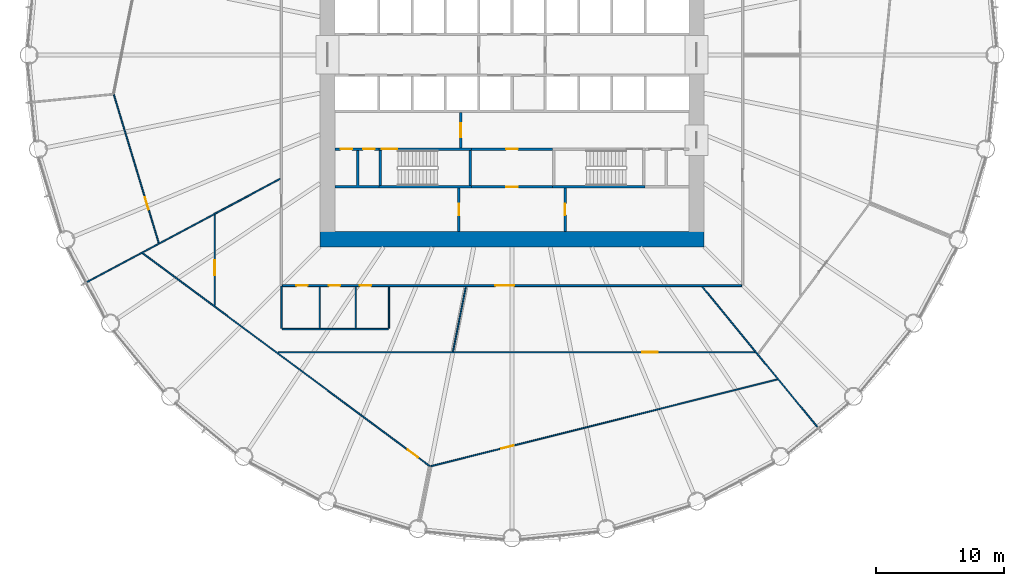
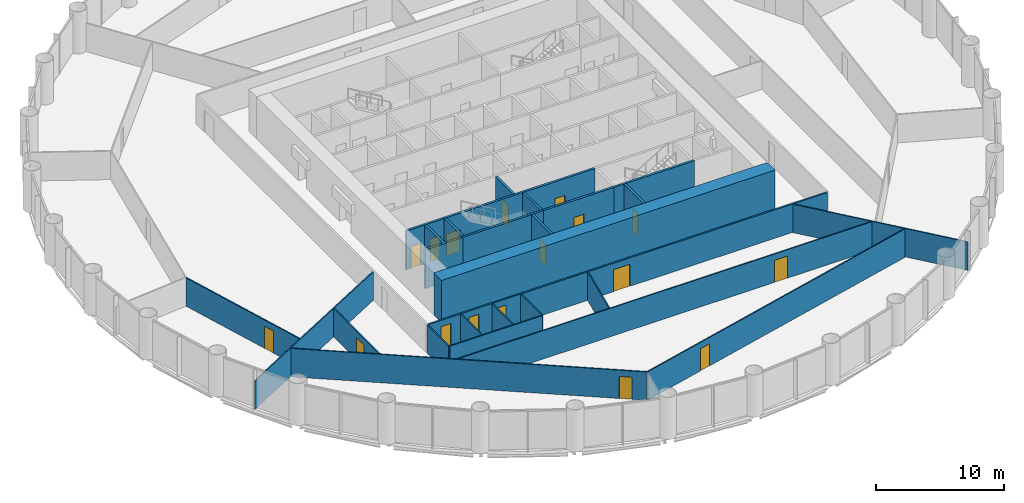
# One storey, part 10 of 15: 27 walls, 17 doors, 17 openings.
"""IFC4 building model written with IfcOpenShell, lengths in metres."""

from ifc_helpers import new_model, si_unit, direction, frame, frame_2d, origin, place, context, subcontext, project, spatial, polyline, rectangle, outline, extrude, material, layer, layer_set, type_object, element, fill, save


model = new_model("IFC4")

# Units and contexts
model_context = context("Model", 3, precision=1e-05, world=origin(), true_north=direction((0.0, 1.0)))
body_context = subcontext(model_context, "Body", "Model", "MODEL_VIEW")
ifc_project = project(units=[si_unit("LENGTHUNIT", "METRE"), si_unit("AREAUNIT", "SQUARE_METRE"), si_unit("VOLUMEUNIT", "CUBIC_METRE"), si_unit("PLANEANGLEUNIT", "RADIAN"), si_unit("MASSUNIT", "GRAM", prefix="KILO")], contexts=[model_context])

# Site, building, storey
site_placement = place(None, origin())
site = spatial("IfcSite", under=ifc_project, at=site_placement, CompositionType="ELEMENT")
building_placement = place(site_placement, origin())
building = spatial("IfcBuilding", under=site, at=building_placement, Name="Corvane Civic Tower", CompositionType="ELEMENT")
storey_placement = place(building_placement, frame((0.0, 0.0, 45.0)))
storey = spatial("IfcBuildingStorey", under=building, at=storey_placement, Name="L09", CompositionType="ELEMENT", Elevation=45.0)

# Wall
ifc_material_1 = material(Name="Concrete C80/95", Category="concrete")
ifc_layer_1 = layer(ifc_material_1, 1.199951171875)
ifc_layer_set_1 = layer_set([ifc_layer_1], Name="Concrete C80/95")
wall_type_1 = type_object("IfcWallType", Name="CORE WALL 1200 C80/95", PredefinedType="SHEAR", material=ifc_layer_set_1)
wall_1_placement = place(storey_placement, frame((-15.0, -14.39990234375, 0.0), z_axis=(0.0, 0.0, 1.0), x_axis=(1.0, 0.0, 0.0)))
element("IfcWall", 1, at=wall_1_placement, inside=storey, type_object=wall_type_1, Name="W-L09-core-S", PredefinedType="SHEAR", context=body_context, shape_type="SweptSolid", body=[
    extrude(rectangle(XDim=30.0, YDim=1.199951171875, at=frame_2d((15.0, 0.0))), origin(), (0.0, 0.0, 1.0), 4.0),
])

# Wall, opening, door
ifc_material_2 = material(Name="Concrete C30/37", Category="concrete")
ifc_layer_2 = layer(ifc_material_2, 0.199951171875)
ifc_layer_set_2 = layer_set([ifc_layer_2], Name="Concrete C30/37")
wall_type_2 = type_object("IfcWallType", Name="CR-WALL-200", PredefinedType="PARTITIONING", material=ifc_layer_set_2)
wall_2_placement = place(storey_placement, frame((-3.14990234375, -10.300048828125, 0.0), z_axis=(0.0, 0.0, 1.0), x_axis=(1.0, 0.0, 0.0)))
wall_2 = element("IfcWall", 2, at=wall_2_placement, inside=storey, type_object=wall_type_2, Name="L09 partition wall", PredefinedType="PARTITIONING", context=body_context, shape_type="SweptSolid", body=[
    extrude(rectangle(XDim=6.2998046875, YDim=0.199951171875, at=frame_2d((3.14990234375, 0.0))), origin(), (0.0, 0.0, 1.0), 3.699951171875),
])
opening_1_placement = place(wall_2_placement, frame((2.699951171875, 0.0, 0.0)))
opening_1 = element("IfcOpeningElement", 3, at=opening_1_placement, cuts=wall_2, Name="Opening L09.C08", PredefinedType="OPENING", context=body_context, shape_type="SweptSolid", body=[
    extrude(rectangle(XDim=0.89990234375, YDim=2.10009765625, at=frame_2d((0.449951171875, 1.050048828125))), frame((0.0, 0.10986328125, 0.0), z_axis=(0.0, -1.0, 0.0), x_axis=(1.0, 0.0, 0.0)), (0.0, 0.0, 1.0), 0.219970703125),
])
ifc_material_3 = material(Name="Steel fire door leaf", Category="steel")
door_type_1 = type_object("IfcDoorType", Name="CR-DOOR-900", OperationType="SINGLE_SWING_LEFT", PredefinedType="DOOR", material=ifc_material_3)
door_1_placement = place(opening_1_placement, origin())
door_1 = element("IfcDoor", 4, at=door_1_placement, inside=storey, type_object=door_type_1, Name="L09 door", OperationType="SINGLE_SWING_LEFT", OverallHeight=2.10009765625, OverallWidth=0.89990234375, PredefinedType="DOOR", context=body_context, shape_type="SweptSolid", body=[
    extrude(rectangle(XDim=0.89990234375, YDim=2.10009765625, at=frame_2d((0.449951171875, 1.050048828125))), frame((0.0, 0.02490234375, 0.0), z_axis=(0.0, -1.0, 0.0), x_axis=(1.0, 0.0, 0.0)), (0.0, 0.0, 1.0), 0.050048828125),
])
fill(opening_1, door_1)

# Wall, openings, doors
wall_3_placement = place(storey_placement, frame((-13.800048828125, -7.35009765625, 0.0), z_axis=(0.0, 0.0, 1.0), x_axis=(1.0, 0.0, 0.0)))
wall_3 = element("IfcWall", 5, at=wall_3_placement, inside=storey, type_object=wall_type_2, Name="L09 core partition wall", PredefinedType="PARTITIONING", context=body_context, shape_type="SweptSolid", body=[
    extrude(rectangle(XDim=3.400146484375, YDim=0.199951171875, at=frame_2d((1.7001953125, 0.0))), origin(), (0.0, 0.0, 1.0), 3.699951171875),
])
opening_2_placement = place(wall_3_placement, frame((0.425048828125, 0.0, 0.0)))
opening_2 = element("IfcOpeningElement", 6, at=opening_2_placement, cuts=wall_3, Name="Opening L09.C12", PredefinedType="OPENING", context=body_context, shape_type="SweptSolid", body=[
    extrude(rectangle(XDim=0.89990234375, YDim=2.10009765625, at=frame_2d((0.449951171875, 1.050048828125))), frame((0.0, 0.10986328125, 0.0), z_axis=(0.0, -1.0, 0.0), x_axis=(1.0, 0.0, 0.0)), (0.0, 0.0, 1.0), 0.219970703125),
])
opening_3_placement = place(wall_3_placement, frame((2.175048828125, 0.0, 0.0)))
opening_3 = element("IfcOpeningElement", 7, at=opening_3_placement, cuts=wall_3, Name="Opening L09.C13", PredefinedType="OPENING", context=body_context, shape_type="SweptSolid", body=[
    extrude(rectangle(XDim=0.89990234375, YDim=2.10009765625, at=frame_2d((0.449951171875, 1.050048828125))), frame((0.0, 0.10986328125, 0.0), z_axis=(0.0, -1.0, 0.0), x_axis=(1.0, 0.0, 0.0)), (0.0, 0.0, 1.0), 0.219970703125),
])
door_2_placement = place(opening_2_placement, origin())
door_2 = element("IfcDoor", 8, at=door_2_placement, inside=storey, type_object=door_type_1, Name="L09 door", OperationType="SINGLE_SWING_LEFT", OverallHeight=2.10009765625, OverallWidth=0.89990234375, PredefinedType="DOOR", context=body_context, shape_type="SweptSolid", body=[
    extrude(rectangle(XDim=0.89990234375, YDim=2.10009765625, at=frame_2d((0.449951171875, 1.050048828125))), frame((0.0, 0.02490234375, 0.0), z_axis=(0.0, -1.0, 0.0), x_axis=(1.0, 0.0, 0.0)), (0.0, 0.0, 1.0), 0.050048828125),
])
fill(opening_2, door_2)
door_3_placement = place(opening_3_placement, origin())
door_3 = element("IfcDoor", 9, at=door_3_placement, inside=storey, type_object=door_type_1, Name="L09 door", OperationType="SINGLE_SWING_LEFT", OverallHeight=2.10009765625, OverallWidth=0.89990234375, PredefinedType="DOOR", context=body_context, shape_type="SweptSolid", body=[
    extrude(rectangle(XDim=0.89990234375, YDim=2.10009765625, at=frame_2d((0.449951171875, 1.050048828125))), frame((0.0, 0.02490234375, 0.0), z_axis=(0.0, -1.0, 0.0), x_axis=(1.0, 0.0, 0.0)), (0.0, 0.0, 1.0), 0.050048828125),
])
fill(opening_3, door_3)

# Wall, opening, door
wall_4_placement = place(storey_placement, frame((-3.14990234375, -7.35009765625, 0.0), z_axis=(0.0, 0.0, 1.0), x_axis=(1.0, 0.0, 0.0)))
wall_4 = element("IfcWall", 10, at=wall_4_placement, inside=storey, type_object=wall_type_2, Name="L09 core partition wall", PredefinedType="PARTITIONING", context=body_context, shape_type="SweptSolid", body=[
    extrude(rectangle(XDim=6.2998046875, YDim=0.199951171875, at=frame_2d((3.14990234375, 0.0))), origin(), (0.0, 0.0, 1.0), 3.699951171875),
])
opening_4_placement = place(wall_4_placement, frame((2.699951171875, 0.0, 0.0)))
opening_4 = element("IfcOpeningElement", 11, at=opening_4_placement, cuts=wall_4, Name="Opening L09.C03", PredefinedType="OPENING", context=body_context, shape_type="SweptSolid", body=[
    extrude(rectangle(XDim=0.89990234375, YDim=2.10009765625, at=frame_2d((0.449951171875, 1.050048828125))), frame((0.0, 0.10986328125, 0.0), z_axis=(0.0, -1.0, 0.0), x_axis=(1.0, 0.0, 0.0)), (0.0, 0.0, 1.0), 0.219970703125),
])
door_4_placement = place(opening_4_placement, origin())
door_4 = element("IfcDoor", 12, at=door_4_placement, inside=storey, type_object=door_type_1, Name="L09 door", OperationType="SINGLE_SWING_LEFT", OverallHeight=2.10009765625, OverallWidth=0.89990234375, PredefinedType="DOOR", context=body_context, shape_type="SweptSolid", body=[
    extrude(rectangle(XDim=0.89990234375, YDim=2.10009765625, at=frame_2d((0.449951171875, 1.050048828125))), frame((0.0, 0.02490234375, 0.0), z_axis=(0.0, -1.0, 0.0), x_axis=(1.0, 0.0, 0.0)), (0.0, 0.0, 1.0), 0.050048828125),
])
fill(opening_4, door_4)

wall_5_placement = place(storey_placement, frame((-4.14990234375, -13.800048828125, 0.0), z_axis=(0.0, 0.0, 1.0), x_axis=(0.0, 1.0, 0.0)))
wall_5 = element("IfcWall", 13, at=wall_5_placement, inside=storey, type_object=wall_type_2, Name="L09 partition wall", PredefinedType="PARTITIONING", context=body_context, shape_type="SweptSolid", body=[
    extrude(rectangle(XDim=3.400146484375, YDim=0.199951171875, at=frame_2d((1.7001953125, 0.0))), origin(), (0.0, 0.0, 1.0), 3.699951171875),
])
opening_5_placement = place(wall_5_placement, frame((1.300048828125, 0.0, 0.0)))
opening_5 = element("IfcOpeningElement", 14, at=opening_5_placement, cuts=wall_5, Name="Opening L09.C07", PredefinedType="OPENING", context=body_context, shape_type="SweptSolid", body=[
    extrude(rectangle(XDim=0.89990234375, YDim=2.10009765625, at=frame_2d((0.449951171875, 1.050048828125))), frame((0.0, 0.10986328125, 0.0), z_axis=(0.0, -1.0, 0.0), x_axis=(1.0, 0.0, 0.0)), (0.0, 0.0, 1.0), 0.219970703125),
])
door_5_placement = place(opening_5_placement, origin())
door_5 = element("IfcDoor", 15, at=door_5_placement, inside=storey, type_object=door_type_1, Name="L09 door", OperationType="SINGLE_SWING_LEFT", OverallHeight=2.10009765625, OverallWidth=0.89990234375, PredefinedType="DOOR", context=body_context, shape_type="SweptSolid", body=[
    extrude(rectangle(XDim=0.89990234375, YDim=2.10009765625, at=frame_2d((0.449951171875, 1.050048828125))), frame((0.0, 0.02490234375, 0.0), z_axis=(0.0, -1.0, 0.0), x_axis=(1.0, 0.0, 0.0)), (0.0, 0.0, 1.0), 0.050048828125),
])
fill(opening_5, door_5)

wall_6_placement = place(storey_placement, frame((-4.0, -7.25, 0.0), z_axis=(0.0, 0.0, 1.0), x_axis=(0.0, 1.0, 0.0)))
wall_6 = element("IfcWall", 16, at=wall_6_placement, inside=storey, type_object=wall_type_2, Name="L09 core partition wall", PredefinedType="PARTITIONING", context=body_context, shape_type="SweptSolid", body=[
    extrude(rectangle(XDim=2.75, YDim=0.199951171875, at=frame_2d((1.375, 0.0))), origin(), (0.0, 0.0, 1.0), 3.699951171875),
])
opening_6_placement = place(wall_6_placement, frame((0.824951171875, 0.0, 0.0)))
opening_6 = element("IfcOpeningElement", 17, at=opening_6_placement, cuts=wall_6, Name="Opening L09.C25", PredefinedType="OPENING", context=body_context, shape_type="SweptSolid", body=[
    extrude(rectangle(XDim=1.10009765625, YDim=2.10009765625, at=frame_2d((0.550048828125, 1.050048828125))), frame((0.0, 0.10986328125, 0.0), z_axis=(0.0, -1.0, 0.0), x_axis=(1.0, 0.0, 0.0)), (0.0, 0.0, 1.0), 0.219970703125),
])
ifc_material_4 = material(Name="Steel fire door leaf", Category="steel")
door_type_2 = type_object("IfcDoorType", Name="CR-DOOR-FFL-1100", OperationType="SINGLE_SWING_LEFT", PredefinedType="DOOR", material=ifc_material_4)
door_6_placement = place(opening_6_placement, origin())
door_6 = element("IfcDoor", 18, at=door_6_placement, inside=storey, type_object=door_type_2, Name="L09 lobby door", OperationType="SINGLE_SWING_LEFT", OverallHeight=2.10009765625, OverallWidth=1.10009765625, PredefinedType="DOOR", context=body_context, shape_type="SweptSolid", body=[
    extrude(rectangle(XDim=1.10009765625, YDim=2.10009765625, at=frame_2d((0.550048828125, 1.050048828125))), frame((0.0, 0.02490234375, 0.0), z_axis=(0.0, -1.0, 0.0), x_axis=(1.0, 0.0, 0.0)), (0.0, 0.0, 1.0), 0.050048828125),
])
fill(opening_6, door_6)

wall_7_placement = place(storey_placement, frame((4.14990234375, -13.800048828125, 0.0), z_axis=(0.0, 0.0, 1.0), x_axis=(0.0, 1.0, 0.0)))
wall_7 = element("IfcWall", 19, at=wall_7_placement, inside=storey, type_object=wall_type_2, Name="L09 partition wall", PredefinedType="PARTITIONING", context=body_context, shape_type="SweptSolid", body=[
    extrude(rectangle(XDim=3.400146484375, YDim=0.199951171875, at=frame_2d((1.7001953125, 0.0))), origin(), (0.0, 0.0, 1.0), 3.699951171875),
])
opening_7_placement = place(wall_7_placement, frame((1.300048828125, 0.0, 0.0)))
opening_7 = element("IfcOpeningElement", 20, at=opening_7_placement, cuts=wall_7, Name="Opening L09.C09", PredefinedType="OPENING", context=body_context, shape_type="SweptSolid", body=[
    extrude(rectangle(XDim=0.89990234375, YDim=2.10009765625, at=frame_2d((0.449951171875, 1.050048828125))), frame((0.0, 0.10986328125, 0.0), z_axis=(0.0, -1.0, 0.0), x_axis=(1.0, 0.0, 0.0)), (0.0, 0.0, 1.0), 0.219970703125),
])
door_7_placement = place(opening_7_placement, origin())
door_7 = element("IfcDoor", 21, at=door_7_placement, inside=storey, type_object=door_type_1, Name="L09 door", OperationType="SINGLE_SWING_LEFT", OverallHeight=2.10009765625, OverallWidth=0.89990234375, PredefinedType="DOOR", context=body_context, shape_type="SweptSolid", body=[
    extrude(rectangle(XDim=0.89990234375, YDim=2.10009765625, at=frame_2d((0.449951171875, 1.050048828125))), frame((0.0, 0.02490234375, 0.0), z_axis=(0.0, -1.0, 0.0), x_axis=(1.0, 0.0, 0.0)), (0.0, 0.0, 1.0), 0.050048828125),
])
fill(opening_7, door_7)

# Wall
wall_8_placement = place(storey_placement, origin())
element("IfcWall", 22, at=wall_8_placement, inside=storey, type_object=wall_type_2, Name="L09 core partition wall", PredefinedType="PARTITIONING", context=body_context, shape_type="SweptSolid", body=[
    extrude(outline(polyline([(-12.14990234375, -7.449951171875), (-11.949951171875, -7.449951171875), (-11.949951171875, -10.199951171875), (-10.39990234375, -10.199951171875), (-10.39990234375, -10.39990234375), (-13.800048828125, -10.39990234375), (-13.800048828125, -10.199951171875), (-12.14990234375, -10.199951171875), (-12.14990234375, -7.449951171875)])), origin(), (0.0, 0.0, 1.0), 3.699951171875),
])

# Wall, opening, door
ifc_material_5 = material(Name="Plasterboard")
ifc_layer_3 = layer(ifc_material_5, 0.10009765625)
ifc_layer_set_3 = layer_set([ifc_layer_3], Name="Plasterboard")
wall_type_3 = type_object("IfcWallType", Name="Partition 100 plasterboard on studs", PredefinedType="PARTITIONING", material=ifc_layer_set_3)
wall_9_placement = place(storey_placement, frame((-6.357421875, -32.107177734375, 0.0), z_axis=(0.0, 0.0, 1.0), x_axis=(0.970030139122, 0.242984627485, 0.0)))
wall_9 = element("IfcWall", 23, at=wall_9_placement, inside=storey, type_object=wall_type_3, Name="Partition L09.002", PredefinedType="PARTITIONING", context=body_context, shape_type="SweptSolid", body=[
    extrude(rectangle(XDim=27.88916015625, YDim=0.10009765625, at=frame_2d((13.944580078125, 0.0))), origin(), (0.0, 0.0, 1.0), 2.699951171875),
])
opening_8_placement = place(wall_9_placement, frame((5.68017578125, 0.0, 0.0)))
opening_8 = element("IfcOpeningElement", 24, at=opening_8_placement, cuts=wall_9, Name="Opening L09.007", PredefinedType="OPENING", context=body_context, shape_type="SweptSolid", body=[
    extrude(rectangle(XDim=1.0, YDim=2.10009765625, at=frame_2d((0.5, 1.050048828125))), frame((0.0, 0.06005859375, 0.0), z_axis=(0.0, -1.0, 0.0), x_axis=(1.0, 0.0, 0.0)), (0.0, 0.0, 1.0), 0.1201171875),
])
ifc_material_6 = material(Name="Timber", Category="wood")
door_type_3 = type_object("IfcDoorType", Name="Single door 1000", OperationType="NOTDEFINED", PredefinedType="DOOR", material=ifc_material_6)
door_8_placement = place(opening_8_placement, frame((1.0, 0.0, 0.0), z_axis=(0.0, 0.0, 1.0), x_axis=(-1.0, 0.0, 0.0)))
door_8 = element("IfcDoor", 25, at=door_8_placement, inside=storey, type_object=door_type_3, Name="Door L09.007", OperationType="SINGLE_SWING_RIGHT", OverallHeight=2.10009765625, OverallWidth=1.0, PredefinedType="DOOR", context=body_context, shape_type="SweptSolid", body=[
    extrude(rectangle(XDim=1.0, YDim=2.10009765625, at=frame_2d((0.5, 1.050048828125))), frame((0.0, 0.02490234375, 0.0), z_axis=(0.0, -1.0, 0.0), x_axis=(1.0, 0.0, 0.0)), (0.0, 0.0, 1.0), 0.050048828125),
])
fill(opening_8, door_8)

wall_10_placement = place(storey_placement, frame((-28.814208984375, -15.482421875, 0.0), z_axis=(0.0, 0.0, 1.0), x_axis=(0.803206118152, -0.595701210141, 0.0)))
wall_10 = element("IfcWall", 26, at=wall_10_placement, inside=storey, type_object=wall_type_3, Name="Partition L09.003", PredefinedType="PARTITIONING", context=body_context, shape_type="SweptSolid", body=[
    extrude(rectangle(XDim=27.888916015625, YDim=0.10009765625, at=frame_2d((13.9443359375, 0.0))), origin(), (0.0, 0.0, 1.0), 2.699951171875),
])
opening_9_placement = place(wall_10_placement, frame((25.738525390625, 0.0, 0.0)))
opening_9 = element("IfcOpeningElement", 27, at=opening_9_placement, cuts=wall_10, Name="Opening L09.008", PredefinedType="OPENING", context=body_context, shape_type="SweptSolid", body=[
    extrude(rectangle(XDim=1.0, YDim=2.10009765625, at=frame_2d((0.5, 1.050048828125))), frame((0.0, 0.06005859375, 0.0), z_axis=(0.0, -1.0, 0.0), x_axis=(1.0, 0.0, 0.0)), (0.0, 0.0, 1.0), 0.1201171875),
])
door_9_placement = place(opening_9_placement, frame((1.0, 0.0, 0.0), z_axis=(0.0, 0.0, 1.0), x_axis=(-1.0, 0.0, 0.0)))
door_9 = element("IfcDoor", 28, at=door_9_placement, inside=storey, type_object=door_type_3, Name="Door L09.008", OperationType="SINGLE_SWING_LEFT", OverallHeight=2.10009765625, OverallWidth=1.0, PredefinedType="DOOR", context=body_context, shape_type="SweptSolid", body=[
    extrude(rectangle(XDim=1.0, YDim=2.10009765625, at=frame_2d((0.5, 1.050048828125))), frame((0.0, 0.02490234375, 0.0), z_axis=(0.0, -1.0, 0.0), x_axis=(1.0, 0.0, 0.0)), (0.0, 0.0, 1.0), 0.050048828125),
])
fill(opening_9, door_9)

# Wall
wall_11_placement = place(storey_placement, frame((14.85986328125, -18.106689453125, 0.0), z_axis=(0.0, 0.0, 1.0), x_axis=(0.634382026384, -0.773019692246, 0.0)))
element("IfcWall", 29, at=wall_11_placement, inside=storey, type_object=wall_type_3, Name="Partition L09.004", PredefinedType="PARTITIONING", context=body_context, shape_type="SweptSolid", body=[
    extrude(rectangle(XDim=14.5263671875, YDim=0.10009765625, at=frame_2d((7.26318359375, 0.0))), origin(), (0.0, 0.0, 1.0), 2.699951171875),
])

# Wall, opening, door
wall_12_placement = place(storey_placement, frame((-18.2568359375, -23.199951171875, 0.0), z_axis=(0.0, 0.0, 1.0), x_axis=(1.0, 0.0, 0.0)))
wall_12 = element("IfcWall", 30, at=wall_12_placement, inside=storey, type_object=wall_type_3, Name="Partition L09.006", PredefinedType="PARTITIONING", context=body_context, shape_type="SweptSolid", body=[
    extrude(rectangle(XDim=37.19091796875, YDim=0.10009765625, at=frame_2d((18.595458984375, 0.0))), origin(), (0.0, 0.0, 1.0), 2.699951171875),
])
opening_10_placement = place(wall_12_placement, frame((28.431640625, 0.0, 0.0)))
opening_10 = element("IfcOpeningElement", 31, at=opening_10_placement, cuts=wall_12, Name="Opening L09.009", PredefinedType="OPENING", context=body_context, shape_type="SweptSolid", body=[
    extrude(rectangle(XDim=1.199951171875, YDim=2.10009765625, at=frame_2d((0.60009765625, 1.050048828125))), frame((0.0, 0.06005859375, 0.0), z_axis=(0.0, -1.0, 0.0), x_axis=(1.0, 0.0, 0.0)), (0.0, 0.0, 1.0), 0.1201171875),
])
ifc_material_7 = material(Name="Timber", Category="wood")
door_type_4 = type_object("IfcDoorType", Name="Double door 1200", OperationType="NOTDEFINED", PredefinedType="DOOR", material=ifc_material_7)
door_10_placement = place(opening_10_placement, frame((1.199951171875, 0.0, 0.0), z_axis=(0.0, 0.0, 1.0), x_axis=(-1.0, 0.0, 0.0)))
door_10 = element("IfcDoor", 32, at=door_10_placement, inside=storey, type_object=door_type_4, Name="Door L09.009", OperationType="DOUBLE_DOOR_SINGLE_SWING", OverallHeight=2.10009765625, OverallWidth=1.199951171875, PredefinedType="DOOR", context=body_context, shape_type="SweptSolid", body=[
    extrude(rectangle(XDim=1.199951171875, YDim=2.10009765625, at=frame_2d((0.60009765625, 1.050048828125))), frame((0.0, 0.02490234375, 0.0), z_axis=(0.0, -1.0, 0.0), x_axis=(1.0, 0.0, 0.0)), (0.0, 0.0, 1.0), 0.050048828125),
])
fill(opening_10, door_10)

# Walls
wall_13_placement = place(storey_placement, frame((-4.602783203125, -23.14013671875, 0.0), z_axis=(0.0, 0.0, 1.0), x_axis=(0.195050300092, 0.98079324041, 0.0)))
element("IfcWall", 33, at=wall_13_placement, inside=storey, type_object=wall_type_3, Name="Partition L09.007", PredefinedType="PARTITIONING", context=body_context, shape_type="SweptSolid", body=[
    extrude(rectangle(XDim=5.154541015625, YDim=0.10009765625, at=frame_2d((2.5771484375, 0.0))), origin(), (0.0, 0.0, 1.0), 2.699951171875),
])
wall_14_placement = place(storey_placement, frame((-17.949951171875, -21.39990234375, 0.0), z_axis=(0.0, 0.0, 1.0), x_axis=(1.0, 0.0, 0.0)))
element("IfcWall", 34, at=wall_14_placement, inside=storey, type_object=wall_type_3, Name="Partition L09.008", PredefinedType="PARTITIONING", context=body_context, shape_type="SweptSolid", body=[
    extrude(rectangle(XDim=8.300048828125, YDim=0.10009765625, at=frame_2d((4.14990234375, 0.0))), origin(), (0.0, 0.0, 1.0), 2.699951171875),
])
wall_15_placement = place(storey_placement, frame((-18.0, -21.35009765625, 0.0), z_axis=(0.0, 0.0, 1.0), x_axis=(0.0, 1.0, 0.0)))
element("IfcWall", 35, at=wall_15_placement, inside=storey, type_object=wall_type_3, Name="Partition L09.009", PredefinedType="PARTITIONING", context=body_context, shape_type="SweptSolid", body=[
    extrude(rectangle(XDim=3.300048828125, YDim=0.10009765625, at=frame_2d((1.64990234375, 0.0))), origin(), (0.0, 0.0, 1.0), 2.699951171875),
])
for number, where, z_axis, x_axis, name in (
    (36, (-15.0, -21.35009765625, 0.0), (0.0, 0.0, 1.0), (0.0, 1.0, 0.0), "Partition L09.010"),
    (37, (-12.199951171875, -21.35009765625, 0.0), (0.0, 0.0, 1.0), (0.0, 1.0, 0.0), "Partition L09.011"),
    (38, (-9.60009765625, -21.35009765625, 0.0), (0.0, 0.0, 1.0), (0.0, 1.0, 0.0), "Partition L09.012"),
):
    element("IfcWall", number, at=place(storey_placement, frame(where, z_axis=z_axis, x_axis=x_axis)), inside=storey, type_object=wall_type_3, Name=name, PredefinedType="PARTITIONING", context=body_context, shape_type="SweptSolid", body=[
        extrude(rectangle(XDim=3.275146484375, YDim=0.10009765625, at=frame_2d((1.6376953125, 0.0))), origin(), (0.0, 0.0, 1.0), 2.699951171875),
    ])

# Wall, opening, door
wall_16_placement = place(storey_placement, frame((-23.199951171875, -19.546875, 0.0), z_axis=(0.0, 0.0, 1.0), x_axis=(0.0, 1.0, 0.0)))
wall_16 = element("IfcWall", 39, at=wall_16_placement, inside=storey, type_object=wall_type_3, Name="Partition L09.013", PredefinedType="PARTITIONING", context=body_context, shape_type="SweptSolid", body=[
    extrude(rectangle(XDim=7.062744140625, YDim=0.10009765625, at=frame_2d((3.53125, 0.0))), origin(), (0.0, 0.0, 1.0), 2.699951171875),
])
opening_11_placement = place(wall_16_placement, frame((2.335205078125, 0.0, 0.0)))
opening_11 = element("IfcOpeningElement", 40, at=opening_11_placement, cuts=wall_16, Name="Opening L09.010", PredefinedType="OPENING", context=body_context, shape_type="SweptSolid", body=[
    extrude(rectangle(XDim=1.199951171875, YDim=2.10009765625, at=frame_2d((0.60009765625, 1.050048828125))), frame((0.0, 0.06005859375, 0.0), z_axis=(0.0, -1.0, 0.0), x_axis=(1.0, 0.0, 0.0)), (0.0, 0.0, 1.0), 0.1201171875),
])
door_11_placement = place(opening_11_placement, origin())
door_11 = element("IfcDoor", 41, at=door_11_placement, inside=storey, type_object=door_type_4, Name="Door L09.010", OperationType="DOUBLE_DOOR_SINGLE_SWING", OverallHeight=2.10009765625, OverallWidth=1.199951171875, PredefinedType="DOOR", context=body_context, shape_type="SweptSolid", body=[
    extrude(rectangle(XDim=1.199951171875, YDim=2.10009765625, at=frame_2d((0.60009765625, 1.050048828125))), frame((0.0, 0.02490234375, 0.0), z_axis=(0.0, -1.0, 0.0), x_axis=(1.0, 0.0, 0.0)), (0.0, 0.0, 1.0), 0.050048828125),
])
fill(opening_11, door_11)

# Wall
wall_17_placement = place(storey_placement, frame((-33.468994140625, -17.8896484375, 0.0), z_axis=(0.0, 0.0, 1.0), x_axis=(0.881916707753, 0.471405261517, 0.0)))
element("IfcWall", 42, at=wall_17_placement, inside=storey, type_object=wall_type_3, Name="Partition L09.018", PredefinedType="PARTITIONING", context=body_context, shape_type="SweptSolid", body=[
    extrude(rectangle(XDim=17.428466796875, YDim=0.10009765625, at=frame_2d((8.71435546875, 0.0))), origin(), (0.0, 0.0, 1.0), 2.699951171875),
])

# Wall, opening, door
wall_18_placement = place(storey_placement, frame((-31.07958984375, -3.1015625, 0.0), z_axis=(0.0, 0.0, 1.0), x_axis=(0.290268601129, -0.956945212224, 0.0)))
wall_18 = element("IfcWall", 43, at=wall_18_placement, inside=storey, type_object=wall_type_3, Name="Partition L09.019", PredefinedType="PARTITIONING", context=body_context, shape_type="SweptSolid", body=[
    extrude(rectangle(XDim=12.088134765625, YDim=0.10009765625, at=frame_2d((6.0439453125, 0.0))), origin(), (0.0, 0.0, 1.0), 2.699951171875),
])
opening_12_placement = place(wall_18_placement, frame((8.37109375, 0.0, 0.0)))
opening_12 = element("IfcOpeningElement", 44, at=opening_12_placement, cuts=wall_18, Name="Opening L09.016", PredefinedType="OPENING", context=body_context, shape_type="SweptSolid", body=[
    extrude(rectangle(XDim=1.0, YDim=2.10009765625, at=frame_2d((0.5, 1.050048828125))), frame((0.0, 0.06005859375, 0.0), z_axis=(0.0, -1.0, 0.0), x_axis=(1.0, 0.0, 0.0)), (0.0, 0.0, 1.0), 0.1201171875),
])
door_12_placement = place(opening_12_placement, frame((1.0, 0.0, 0.0), z_axis=(0.0, 0.0, 1.0), x_axis=(-1.0, 0.0, 0.0)))
door_12 = element("IfcDoor", 45, at=door_12_placement, inside=storey, type_object=door_type_3, Name="Door L09.016", OperationType="SINGLE_SWING_RIGHT", OverallHeight=2.10009765625, OverallWidth=1.0, PredefinedType="DOOR", context=body_context, shape_type="SweptSolid", body=[
    extrude(rectangle(XDim=1.0, YDim=2.10009765625, at=frame_2d((0.5, 1.050048828125))), frame((0.0, 0.02490234375, 0.0), z_axis=(0.0, -1.0, 0.0), x_axis=(1.0, 0.0, 0.0)), (0.0, 0.0, 1.0), 0.050048828125),
])
fill(opening_12, door_12)

ifc_material_8 = material(Name="Concrete C50/60", Category="concrete")
ifc_layer_4 = layer(ifc_material_8, 0.199951171875)
ifc_layer_set_4 = layer_set([ifc_layer_4], Name="Concrete C50/60")
wall_type_4 = type_object("IfcWallType", Name="ST-WALL-200", PredefinedType="SHEAR", material=ifc_layer_set_4)
wall_19_placement = place(storey_placement, frame((-10.39990234375, -7.35009765625, 0.0), z_axis=(0.0, 0.0, 1.0), x_axis=(1.0, 0.0, 0.0)))
wall_19 = element("IfcWall", 46, at=wall_19_placement, inside=storey, type_object=wall_type_4, Name="L09 stair enclosure wall", PredefinedType="SHEAR", context=body_context, shape_type="SweptSolid", body=[
    extrude(rectangle(XDim=7.25, YDim=0.199951171875, at=frame_2d((3.625, 0.0))), origin(), (0.0, 0.0, 1.0), 3.699951171875),
])
opening_13_placement = place(wall_19_placement, frame((0.25, 0.0, 0.0)))
opening_13 = element("IfcOpeningElement", 47, at=opening_13_placement, cuts=wall_19, Name="Opening L09.C21", PredefinedType="OPENING", context=body_context, shape_type="SweptSolid", body=[
    extrude(rectangle(XDim=1.199951171875, YDim=2.10009765625, at=frame_2d((0.60009765625, 1.050048828125))), frame((0.0, 0.10986328125, 0.0), z_axis=(0.0, -1.0, 0.0), x_axis=(1.0, 0.0, 0.0)), (0.0, 0.0, 1.0), 0.219970703125),
])
ifc_material_9 = material(Name="Steel fire door leaf", Category="steel")
door_type_5 = type_object("IfcDoorType", Name="ST-DOOR-1200", OperationType="SINGLE_SWING_RIGHT", PredefinedType="DOOR", material=ifc_material_9)
door_13_placement = place(opening_13_placement, origin())
door_13 = element("IfcDoor", 48, at=door_13_placement, inside=storey, type_object=door_type_5, Name="L09 stair door", OperationType="SINGLE_SWING_RIGHT", OverallHeight=2.10009765625, OverallWidth=1.199951171875, PredefinedType="DOOR", context=body_context, shape_type="SweptSolid", body=[
    extrude(rectangle(XDim=1.199951171875, YDim=2.10009765625, at=frame_2d((0.60009765625, 1.050048828125))), frame((0.0, 0.02490234375, 0.0), z_axis=(0.0, -1.0, 0.0), x_axis=(1.0, 0.0, 0.0)), (0.0, 0.0, 1.0), 0.050048828125),
])
fill(opening_13, door_13)

# Walls
wall_20_placement = place(storey_placement, origin())
element("IfcWall", 49, at=wall_20_placement, inside=storey, type_object=wall_type_4, Name="L09 stair enclosure wall", PredefinedType="SHEAR", context=body_context, shape_type="SweptSolid", body=[
    extrude(outline(polyline([(-3.14990234375, -10.199951171875), (-3.14990234375, -10.39990234375), (-10.39990234375, -10.39990234375), (-10.39990234375, -10.199951171875), (-3.14990234375, -10.199951171875)])), origin(), (0.0, 0.0, 1.0), 3.699951171875),
])
wall_21_placement = place(storey_placement, origin())
element("IfcWall", 50, at=wall_21_placement, inside=storey, type_object=wall_type_4, Name="L09 stair enclosure wall", PredefinedType="SHEAR", context=body_context, shape_type="SweptSolid", body=[
    extrude(outline(polyline([(10.39990234375, -10.39990234375), (3.14990234375, -10.39990234375), (3.14990234375, -10.199951171875), (10.39990234375, -10.199951171875), (10.39990234375, -10.39990234375)])), origin(), (0.0, 0.0, 1.0), 3.699951171875),
])
wall_22_placement = place(storey_placement, origin())
element("IfcWall", 51, at=wall_22_placement, inside=storey, type_object=wall_type_4, Name="L09 stair enclosure wall", PredefinedType="SHEAR", context=body_context, shape_type="SweptSolid", body=[
    extrude(outline(polyline([(-3.14990234375, -7.449951171875), (-3.14990234375, -10.199951171875), (-3.35009765625, -10.199951171875), (-3.35009765625, -7.449951171875), (-3.14990234375, -7.449951171875)])), origin(), (0.0, 0.0, 1.0), 3.699951171875),
])
wall_23_placement = place(storey_placement, origin())
element("IfcWall", 52, at=wall_23_placement, inside=storey, type_object=wall_type_4, Name="L09 stair enclosure wall", PredefinedType="SHEAR", context=body_context, shape_type="SweptSolid", body=[
    extrude(outline(polyline([(-10.199951171875, -7.449951171875), (-10.199951171875, -10.199951171875), (-10.39990234375, -10.199951171875), (-10.39990234375, -7.449951171875), (-10.199951171875, -7.449951171875)])), origin(), (0.0, 0.0, 1.0), 3.699951171875),
])

# Wall, openings, doors
ifc_material_10 = material(Name="Plasterboard")
ifc_layer_5 = layer(ifc_material_10, 0.14990234375)
ifc_layer_set_5 = layer_set([ifc_layer_5], Name="Plasterboard")
wall_type_5 = type_object("IfcWallType", Name="Tenancy wall 150 EI 60", PredefinedType="PARTITIONING", material=ifc_layer_set_5)
wall_24_placement = place(storey_placement, frame((-17.925048828125, -18.0, 0.0), z_axis=(0.0, 0.0, 1.0), x_axis=(1.0, 0.0, 0.0)))
wall_24 = element("IfcWall", 53, at=wall_24_placement, inside=storey, type_object=wall_type_5, Name="Partition L09.015", PredefinedType="PARTITIONING", context=body_context, shape_type="SweptSolid", body=[
    extrude(rectangle(XDim=35.85009765625, YDim=0.14990234375, at=frame_2d((17.925048828125, 0.0))), origin(), (0.0, 0.0, 1.0), 2.699951171875),
])
opening_14_placement = place(wall_24_placement, frame((16.603759765625, 0.0, 0.0)))
opening_14 = element("IfcOpeningElement", 54, at=opening_14_placement, cuts=wall_24, Name="Opening L09.011", PredefinedType="OPENING", context=body_context, shape_type="SweptSolid", body=[
    extrude(rectangle(XDim=1.5, YDim=2.10009765625, at=frame_2d((0.75, 1.050048828125))), frame((0.0, 0.0849609375, 0.0), z_axis=(0.0, -1.0, 0.0), x_axis=(1.0, 0.0, 0.0)), (0.0, 0.0, 1.0), 0.169921875),
])
opening_15_placement = place(wall_24_placement, frame((1.099365234375, 0.0, 0.0)))
opening_15 = element("IfcOpeningElement", 55, at=opening_15_placement, cuts=wall_24, Name="Opening L09.013", PredefinedType="OPENING", context=body_context, shape_type="SweptSolid", body=[
    extrude(rectangle(XDim=0.89990234375, YDim=2.10009765625, at=frame_2d((0.449951171875, 1.050048828125))), frame((0.0, 0.0849609375, 0.0), z_axis=(0.0, -1.0, 0.0), x_axis=(1.0, 0.0, 0.0)), (0.0, 0.0, 1.0), 0.169921875),
])
opening_16_placement = place(wall_24_placement, frame((3.62158203125, 0.0, 0.0)))
opening_16 = element("IfcOpeningElement", 56, at=opening_16_placement, cuts=wall_24, Name="Opening L09.014", PredefinedType="OPENING", context=body_context, shape_type="SweptSolid", body=[
    extrude(rectangle(XDim=0.89990234375, YDim=2.10009765625, at=frame_2d((0.449951171875, 1.050048828125))), frame((0.0, 0.0849609375, 0.0), z_axis=(0.0, -1.0, 0.0), x_axis=(1.0, 0.0, 0.0)), (0.0, 0.0, 1.0), 0.169921875),
])
opening_17_placement = place(wall_24_placement, frame((6.056396484375, 0.0, 0.0)))
opening_17 = element("IfcOpeningElement", 57, at=opening_17_placement, cuts=wall_24, Name="Opening L09.015", PredefinedType="OPENING", context=body_context, shape_type="SweptSolid", body=[
    extrude(rectangle(XDim=0.89990234375, YDim=2.10009765625, at=frame_2d((0.449951171875, 1.050048828125))), frame((0.0, 0.0849609375, 0.0), z_axis=(0.0, -1.0, 0.0), x_axis=(1.0, 0.0, 0.0)), (0.0, 0.0, 1.0), 0.169921875),
])
ifc_material_11 = material(Name="Steel and timber", Category="steel")
door_type_6 = type_object("IfcDoorType", Name="Fire door FD30S 900", OperationType="NOTDEFINED", PredefinedType="DOOR", material=ifc_material_11)
door_14_placement = place(opening_15_placement, frame((0.89990234375, 0.0, 0.0), z_axis=(0.0, 0.0, 1.0), x_axis=(-1.0, 0.0, 0.0)))
door_14 = element("IfcDoor", 58, at=door_14_placement, inside=storey, type_object=door_type_6, Name="Door L09.013", OperationType="SINGLE_SWING_RIGHT", OverallHeight=2.10009765625, OverallWidth=0.89990234375, PredefinedType="DOOR", context=body_context, shape_type="SweptSolid", body=[
    extrude(rectangle(XDim=0.89990234375, YDim=2.10009765625, at=frame_2d((0.449951171875, 1.050048828125))), frame((0.0, 0.02490234375, 0.0), z_axis=(0.0, -1.0, 0.0), x_axis=(1.0, 0.0, 0.0)), (0.0, 0.0, 1.0), 0.050048828125),
])
fill(opening_15, door_14)
door_15_placement = place(opening_16_placement, frame((0.89990234375, 0.0, 0.0), z_axis=(0.0, 0.0, 1.0), x_axis=(-1.0, 0.0, 0.0)))
door_15 = element("IfcDoor", 59, at=door_15_placement, inside=storey, type_object=door_type_6, Name="Door L09.014", OperationType="SINGLE_SWING_LEFT", OverallHeight=2.10009765625, OverallWidth=0.89990234375, PredefinedType="DOOR", context=body_context, shape_type="SweptSolid", body=[
    extrude(rectangle(XDim=0.89990234375, YDim=2.10009765625, at=frame_2d((0.449951171875, 1.050048828125))), frame((0.0, 0.02490234375, 0.0), z_axis=(0.0, -1.0, 0.0), x_axis=(1.0, 0.0, 0.0)), (0.0, 0.0, 1.0), 0.050048828125),
])
fill(opening_16, door_15)
door_16_placement = place(opening_17_placement, frame((0.89990234375, 0.0, 0.0), z_axis=(0.0, 0.0, 1.0), x_axis=(-1.0, 0.0, 0.0)))
door_16 = element("IfcDoor", 60, at=door_16_placement, inside=storey, type_object=door_type_6, Name="Door L09.015", OperationType="SINGLE_SWING_LEFT", OverallHeight=2.10009765625, OverallWidth=0.89990234375, PredefinedType="DOOR", context=body_context, shape_type="SweptSolid", body=[
    extrude(rectangle(XDim=0.89990234375, YDim=2.10009765625, at=frame_2d((0.449951171875, 1.050048828125))), frame((0.0, 0.02490234375, 0.0), z_axis=(0.0, -1.0, 0.0), x_axis=(1.0, 0.0, 0.0)), (0.0, 0.0, 1.0), 0.050048828125),
])
fill(opening_17, door_16)
ifc_material_12 = material(Name="Steel and timber", Category="steel")
door_type_7 = type_object("IfcDoorType", Name="Fire door FD60 double 1500", OperationType="NOTDEFINED", PredefinedType="DOOR", material=ifc_material_12)
door_17_placement = place(opening_14_placement, frame((1.5, 0.0, 0.0), z_axis=(0.0, 0.0, 1.0), x_axis=(-1.0, 0.0, 0.0)))
door_17 = element("IfcDoor", 61, at=door_17_placement, inside=storey, type_object=door_type_7, Name="Door L09.011", OperationType="DOUBLE_DOOR_SINGLE_SWING", OverallHeight=2.10009765625, OverallWidth=1.5, PredefinedType="DOOR", context=body_context, shape_type="SweptSolid", body=[
    extrude(rectangle(XDim=1.5, YDim=2.10009765625, at=frame_2d((0.75, 1.050048828125))), frame((0.0, 0.02490234375, 0.0), z_axis=(0.0, -1.0, 0.0), x_axis=(1.0, 0.0, 0.0)), (0.0, 0.0, 1.0), 0.050048828125),
])
fill(opening_14, door_17)

save(model, "model.ifc")
